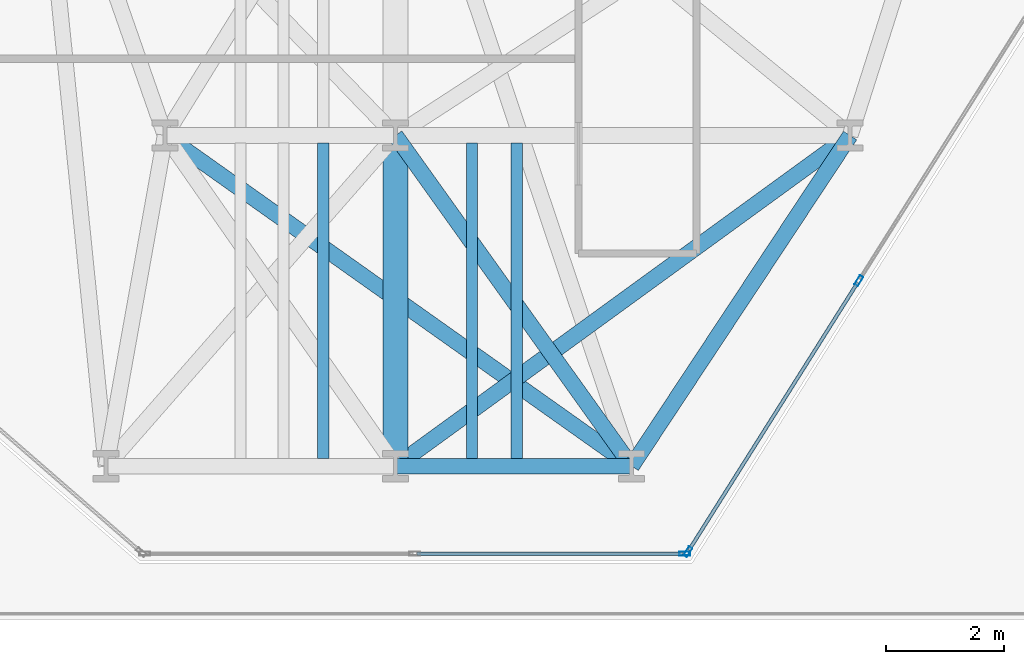
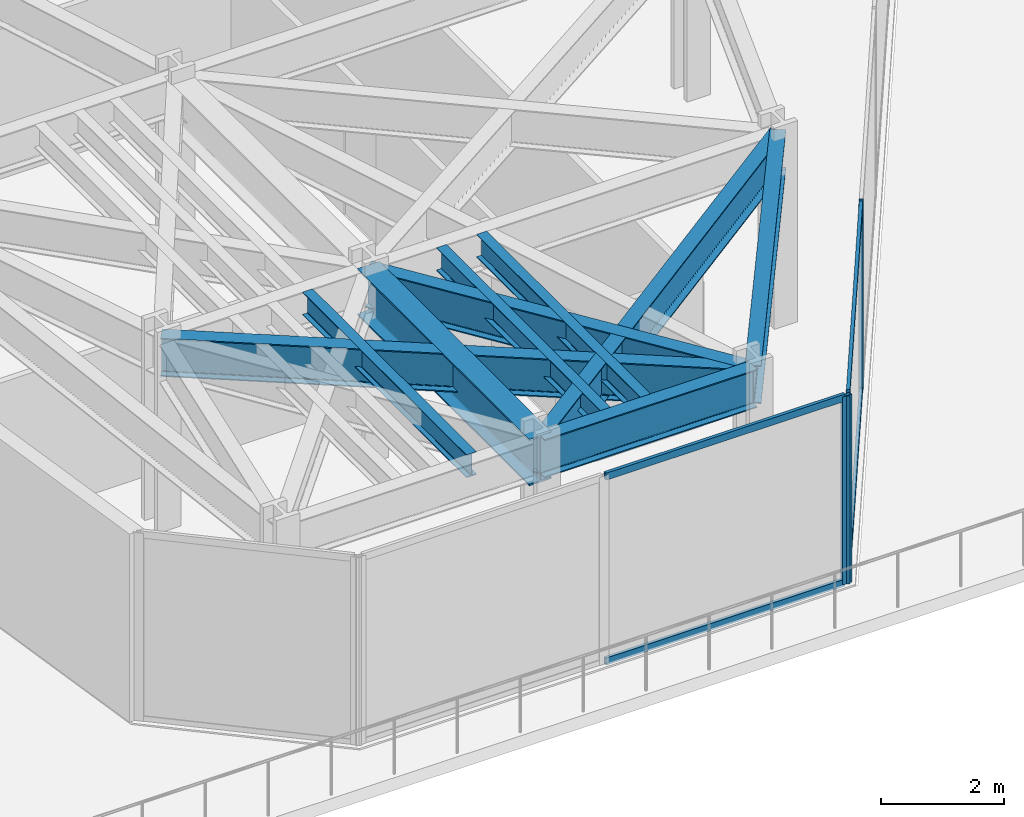
# One storey, part 3 of 25: 9 beams, 7 members, 2 elements without a shape of their own.
"""IFC4 building model written with IfcOpenShell, lengths in metres."""

from ifc_helpers import new_model, si_unit, direction, frame, origin, origin_2d, place, context, subcontext, project, spatial, hollow_rectangle, i_section, extrude, material, layer, layer_set, material_profile, profile_set, type_object, element, aggregate, save


model = new_model("IFC4")

# Units and contexts
model_context = context("Model", 3, precision=1e-05, world=origin(), true_north=direction((0.0, 1.0)))
body_context = subcontext(model_context, "Body", "Model", "MODEL_VIEW")
ifc_project = project(units=[si_unit("LENGTHUNIT", "METRE"), si_unit("AREAUNIT", "SQUARE_METRE"), si_unit("VOLUMEUNIT", "CUBIC_METRE"), si_unit("PLANEANGLEUNIT", "RADIAN"), si_unit("MASSUNIT", "GRAM", prefix="KILO")], contexts=[model_context])

# Site, building, storey
site_placement = place(None, origin())
site = spatial("IfcSite", under=ifc_project, at=site_placement, CompositionType="ELEMENT")
building_placement = place(site_placement, origin())
building = spatial("IfcBuilding", under=site, at=building_placement, Name="Kravanh Interchange Tower", CompositionType="ELEMENT")
storey_placement = place(building_placement, frame((0.0, 0.0, 29.5)))
storey = spatial("IfcBuildingStorey", under=building, at=storey_placement, Name="L06", CompositionType="ELEMENT", Elevation=29.5)

# Curtain wall, members
ifc_material_1 = material(Name="Anodised Bronze Aluminium", Category="aluminium")
ifc_layer = layer(ifc_material_1, 0.179931640625)
ifc_layer_set = layer_set([ifc_layer], Name="Unitised Curtain Wall System CW-Z1 Lower Office")
curtain_wall_type = type_object("IfcCurtainWallType", Name="Unitised Curtain Wall System CW-Z1 Lower Office", PredefinedType="NOTDEFINED", material=ifc_layer_set)
curtain_wall_1_placement = place(storey_placement, origin())
curtain_wall_1 = element("IfcCurtainWall", 1, at=curtain_wall_1_placement, inside=storey, type_object=curtain_wall_type, Name="L06 Unitised Curtain Wall CW-L06-05", PredefinedType="NOTDEFINED")
ifc_material_2 = material(Name="Anodised Bronze Aluminium", Category="aluminium")
ifc_material_profile_1 = material_profile(ifc_material_2, hollow_rectangle(XDim=0.070068359375, YDim=0.179931640625, WallThickness=0.00390625, at=origin_2d()), Name="ALU70X180X4")
ifc_profile_set_1 = profile_set([ifc_material_profile_1], Name="Anodised Bronze Aluminium")
member_type_1 = type_object("IfcMemberType", Name="Curtain Wall Mullion ALU70X180X4 Bronze", PredefinedType="MULLION", material=ifc_profile_set_1)
member_1_placement = place(storey_placement, frame((25.346923828125, 5.740966796875, 0.0), z_axis=(0.0, 0.0, 1.0), x_axis=(0.845925530786, -0.53330103728, 0.0)))
member_1 = element("IfcMember", 2, at=member_1_placement, type_object=member_type_1, Name="CW-Z1 mullion 5", PredefinedType="MULLION", context=body_context, shape_type="SweptSolid", body=[
    extrude(hollow_rectangle(XDim=0.070068359375, YDim=0.179931640625, WallThickness=0.00390625, at=origin_2d()), origin(), (0.0, 0.0, 1.0), 3.739990234375),
])
member_2_placement = place(storey_placement, frame((22.452392578125, 1.149658203125, 0.0), z_axis=(0.0, 0.0, 1.0), x_axis=(0.845925530786, -0.53330103728, 0.0)))
member_2 = element("IfcMember", 3, at=member_2_placement, type_object=member_type_1, Name="CW-Z1 mullion 6", PredefinedType="MULLION", context=body_context, shape_type="SweptSolid", body=[
    extrude(hollow_rectangle(XDim=0.070068359375, YDim=0.179931640625, WallThickness=0.00390625, at=origin_2d()), origin(), (0.0, 0.0, 1.0), 3.739990234375),
])

# Curtain wall, member
curtain_wall_2_placement = place(storey_placement, origin())
curtain_wall_2 = element("IfcCurtainWall", 4, at=curtain_wall_2_placement, inside=storey, type_object=curtain_wall_type, Name="L06 Unitised Curtain Wall CW-L06-06", PredefinedType="NOTDEFINED")
member_3_placement = place(storey_placement, frame((22.398681640625, 1.1201171875, 0.0), z_axis=(0.0, 0.0, 1.0), x_axis=(0.0, -1.0, 0.0)))
member_3 = element("IfcMember", 5, at=member_3_placement, type_object=member_type_1, Name="CW-Z1 mullion 1", PredefinedType="MULLION", context=body_context, shape_type="SweptSolid", body=[
    extrude(hollow_rectangle(XDim=0.070068359375, YDim=0.179931640625, WallThickness=0.00390625, at=origin_2d()), origin(), (0.0, 0.0, 1.0), 3.739990234375),
])

# Member
ifc_material_3 = material(Name="Anodised Bronze Aluminium", Category="aluminium")
ifc_material_profile_2 = material_profile(ifc_material_3, hollow_rectangle(XDim=0.06005859375, YDim=0.139892578125, WallThickness=0.00390625, at=origin_2d()), Name="ALU60X140X4")
ifc_profile_set_2 = profile_set([ifc_material_profile_2], Name="Anodised Bronze Aluminium")
member_type_2 = type_object("IfcMemberType", Name="Curtain Wall Transom ALU60X140X4 Bronze", PredefinedType="USERDEFINED", material=ifc_profile_set_2)
member_4_placement = place(storey_placement, frame((25.328369140625, 5.71142578125, 0.030029296875), z_axis=(-0.533288163518, -0.845933646719, 0.0), x_axis=(0.845933646719, -0.533288163518, 0.0)))
member_4 = element("IfcMember", 6, at=member_4_placement, type_object=member_type_2, Name="CW-Z1 transom 5.1", ObjectType="TRANSOM", PredefinedType="USERDEFINED", context=body_context, shape_type="SweptSolid", body=[
    extrude(hollow_rectangle(XDim=0.06005859375, YDim=0.139892578125, WallThickness=0.00390625, at=origin_2d()), origin(), (0.0, 0.0, 1.0), 5.357666015625),
])

member_5_placement = place(storey_placement, frame((25.328369140625, 5.71142578125, 3.7099609375), z_axis=(-0.533288163518, -0.845933646719, 0.0), x_axis=(0.845933646719, -0.533288163518, 0.0)))
member_5 = element("IfcMember", 7, at=member_5_placement, type_object=member_type_2, Name="CW-Z1 transom 5.2", ObjectType="TRANSOM", PredefinedType="USERDEFINED", context=body_context, shape_type="SweptSolid", body=[
    extrude(hollow_rectangle(XDim=0.06005859375, YDim=0.139892578125, WallThickness=0.00390625, at=origin_2d()), origin(), (0.0, 0.0, 1.0), 5.357666015625),
])

aggregate(curtain_wall_1, [member_1, member_2, member_4, member_5])

member_6_placement = place(storey_placement, frame((22.36376953125, 1.1201171875, 0.030029296875), z_axis=(-1.0, 0.0, 0.0), x_axis=(0.0, -1.0, 0.0)))
member_6 = element("IfcMember", 8, at=member_6_placement, type_object=member_type_2, Name="CW-Z1 transom 1.1", ObjectType="TRANSOM", PredefinedType="USERDEFINED", context=body_context, shape_type="SweptSolid", body=[
    extrude(hollow_rectangle(XDim=0.06005859375, YDim=0.139892578125, WallThickness=0.00390625, at=origin_2d()), origin(), (0.0, 0.0, 1.0), 4.50146484375),
])

member_7_placement = place(storey_placement, frame((22.36376953125, 1.1201171875, 3.7099609375), z_axis=(-1.0, 0.0, 0.0), x_axis=(0.0, -1.0, 0.0)))
member_7 = element("IfcMember", 9, at=member_7_placement, type_object=member_type_2, Name="CW-Z1 transom 1.2", ObjectType="TRANSOM", PredefinedType="USERDEFINED", context=body_context, shape_type="SweptSolid", body=[
    extrude(hollow_rectangle(XDim=0.06005859375, YDim=0.139892578125, WallThickness=0.00390625, at=origin_2d()), origin(), (0.0, 0.0, 1.0), 4.50146484375),
])

aggregate(curtain_wall_2, [member_3, member_6, member_7])

# Beams
ifc_material_4 = material(Name="Structural Steel S355", Category="steel")
ifc_material_profile_3 = material_profile(ifc_material_4, i_section(OverallWidth=0.41796875, OverallDepth=0.927001953125, WebThickness=0.019287109375, FlangeThickness=0.031982421875, FilletRadius=0.028076171875, at=origin_2d()), Name="W36X231")
ifc_profile_set_3 = profile_set([ifc_material_profile_3], Name="Structural Steel S355")
beam_type_1 = type_object("IfcBeamType", Name="Floor Beam W36X231 Structural Steel S355", PredefinedType="BEAM", material=ifc_profile_set_3)
beam_1_placement = place(storey_placement, frame((17.5, 2.60009765625, 3.276611328125), z_axis=(0.0, 1.0, 0.0), x_axis=(-1.0, 0.0, 0.0)))
element("IfcBeam", 10, at=beam_1_placement, inside=storey, type_object=beam_type_1, Name="L06 Primary Floor Girder 103", PredefinedType="BEAM", context=body_context, shape_type="SweptSolid", body=[
    extrude(i_section(OverallWidth=0.41796875, OverallDepth=0.927001953125, WebThickness=0.019287109375, FlangeThickness=0.031982421875, FilletRadius=0.028076171875, at=origin_2d()), origin(), (0.0, 0.0, 1.0), 5.599853515625),
])
ifc_material_5 = material(Name="Structural Steel S355", Category="steel")
ifc_material_profile_4 = material_profile(ifc_material_5, i_section(OverallWidth=0.18994140625, OverallDepth=0.45703125, WebThickness=0.009033203125, FlangeThickness=0.014404296875, FilletRadius=0.01806640625, at=origin_2d()), Name="W18X50")
ifc_profile_set_4 = profile_set([ifc_material_profile_4], Name="Structural Steel S355")
beam_type_2 = type_object("IfcBeamType", Name="Floor Joist W18X50 Structural Steel S355", PredefinedType="JOIST", material=ifc_profile_set_4)
for number, where, z_axis, x_axis, name in (
    (11, (16.278076171875, 2.728515625, 3.511474609375), (0.0, 1.0, 0.0), (-1.0, 0.0, 0.0), "L06 Secondary Floor Joist 3"),
    (12, (18.798095703125, 2.728515625, 3.511474609375), (0.0, 1.0, 0.0), (-1.0, 0.0, 0.0), "L06 Secondary Floor Joist 4"),
    (13, (19.553955078125, 2.728515625, 3.511474609375), (0.0, 1.0, 0.0), (-1.0, 0.0, 0.0), "L06 Secondary Floor Joist 5"),
):
    element("IfcBeam", number, at=place(storey_placement, frame(where, z_axis=z_axis, x_axis=x_axis)), inside=storey, type_object=beam_type_2, Name=name, PredefinedType="JOIST", context=body_context, shape_type="SweptSolid", body=[
        extrude(i_section(OverallWidth=0.18994140625, OverallDepth=0.45703125, WebThickness=0.009033203125, FlangeThickness=0.014404296875, FilletRadius=0.01806640625, at=origin_2d()), origin(), (0.0, 0.0, 1.0), 5.343017578125),
    ])
ifc_material_6 = material(Name="Structural Steel S355", Category="steel")
ifc_material_profile_5 = material_profile(ifc_material_6, i_section(OverallWidth=0.26708984375, OverallDepth=0.761962890625, WebThickness=0.014404296875, FlangeThickness=0.021484375, FilletRadius=0.02490234375, at=origin_2d()), Name="W30X116")
ifc_profile_set_5 = profile_set([ifc_material_profile_5], Name="Structural Steel S355")
beam_type_3 = type_object("IfcBeamType", Name="Floor Spandrel W30X116 Structural Steel S355", PredefinedType="SPANDREL", material=ifc_profile_set_5)
beam_2_placement = place(storey_placement, frame((17.5, 2.60009765625, 3.35888671875), z_axis=(1.0, 0.0, 0.0), x_axis=(0.0, 1.0, 0.0)))
element("IfcBeam", 14, at=beam_2_placement, inside=storey, type_object=beam_type_3, Name="L06 Perimeter Spandrel 102", PredefinedType="SPANDREL", context=body_context, shape_type="SweptSolid", body=[
    extrude(i_section(OverallWidth=0.26708984375, OverallDepth=0.761962890625, WebThickness=0.014404296875, FlangeThickness=0.021484375, FilletRadius=0.02490234375, at=origin_2d()), origin(), (0.0, 0.0, 1.0), 4.0),
])
beam_3_placement = place(storey_placement, frame((17.5, 2.60009765625, 3.35888671875), z_axis=(0.808741628611, 0.588164074176, 0.0), x_axis=(-0.588164074176, 0.808741628611, 0.0)))
element("IfcBeam", 15, at=beam_3_placement, inside=storey, type_object=beam_type_3, Name="L06 Perimeter Spandrel 105", PredefinedType="SPANDREL", context=body_context, shape_type="SweptSolid", body=[
    extrude(i_section(OverallWidth=0.26708984375, OverallDepth=0.761962890625, WebThickness=0.014404296875, FlangeThickness=0.021484375, FilletRadius=0.02490234375, at=origin_2d()), origin(), (0.0, 0.0, 1.0), 9.52099609375),
])
beam_4_placement = place(storey_placement, frame((21.5, 2.60009765625, 3.35888671875), z_axis=(0.551262239226, 0.834332034386, 0.0), x_axis=(-0.834332034386, 0.551262239226, 0.0)))
element("IfcBeam", 16, at=beam_4_placement, inside=storey, type_object=beam_type_3, Name="L06 Perimeter Spandrel 121", PredefinedType="SPANDREL", context=body_context, shape_type="SweptSolid", body=[
    extrude(i_section(OverallWidth=0.26708984375, OverallDepth=0.761962890625, WebThickness=0.014404296875, FlangeThickness=0.021484375, FilletRadius=0.02490234375, at=origin_2d()), origin(), (0.0, 0.0, 1.0), 6.711669921875),
])
beam_5_placement = place(storey_placement, frame((21.5, 2.60009765625, 3.35888671875), z_axis=(-0.581248261352, 0.813726279946, 0.0), x_axis=(-0.813726279946, -0.581248261352, 0.0)))
element("IfcBeam", 17, at=beam_5_placement, inside=storey, type_object=beam_type_3, Name="L06 Perimeter Spandrel 122", PredefinedType="SPANDREL", context=body_context, shape_type="SweptSolid", body=[
    extrude(i_section(OverallWidth=0.26708984375, OverallDepth=0.761962890625, WebThickness=0.014404296875, FlangeThickness=0.021484375, FilletRadius=0.02490234375, at=origin_2d()), origin(), (0.0, 0.0, 1.0), 6.8818359375),
])
beam_6_placement = place(storey_placement, frame((21.5, 2.60009765625, 3.35888671875), z_axis=(-0.815825239527, 0.578298520274, 0.0), x_axis=(-0.578298520274, -0.815825239527, 0.0)))
element("IfcBeam", 18, at=beam_6_placement, inside=storey, type_object=beam_type_3, Name="L06 Perimeter Spandrel 123", PredefinedType="SPANDREL", context=body_context, shape_type="SweptSolid", body=[
    extrude(i_section(OverallWidth=0.26708984375, OverallDepth=0.761962890625, WebThickness=0.014404296875, FlangeThickness=0.021484375, FilletRadius=0.02490234375, at=origin_2d()), origin(), (0.0, 0.0, 1.0), 9.683349609375),
])

save(model, "model.ifc")
